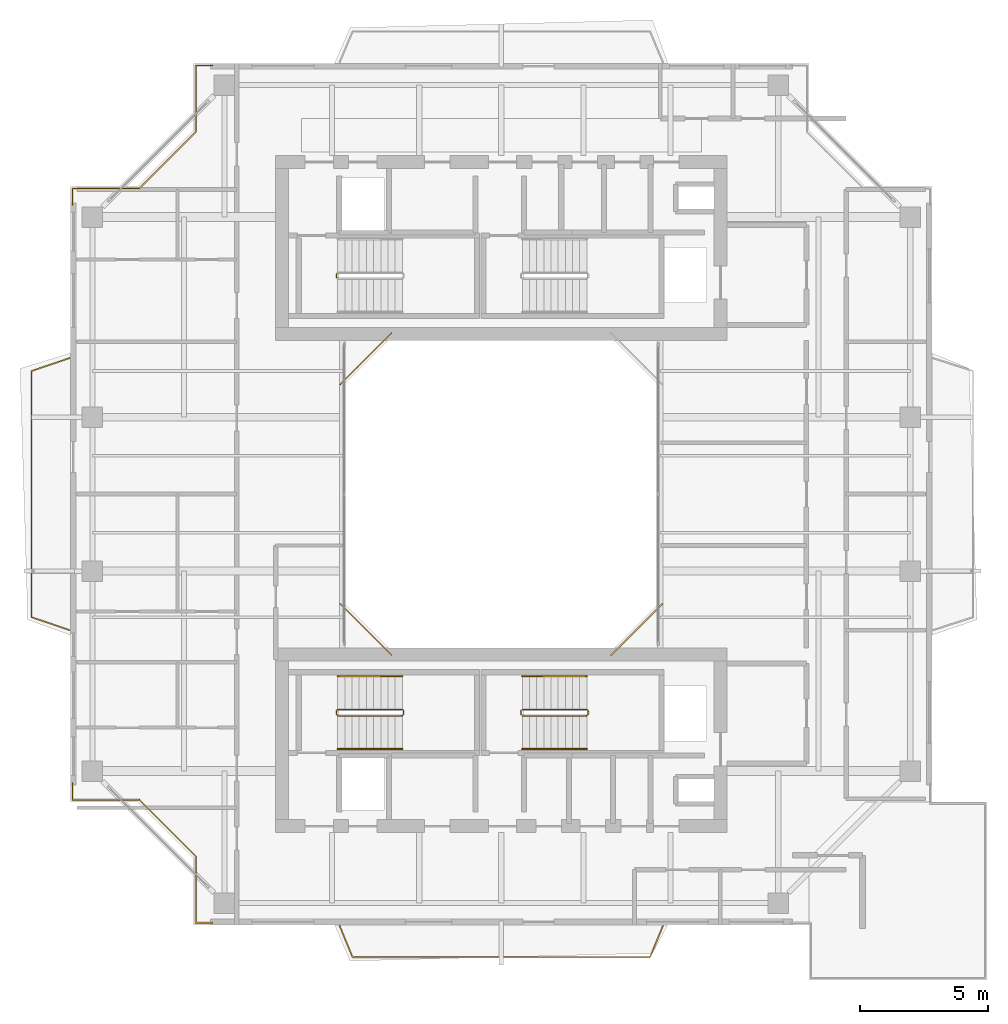
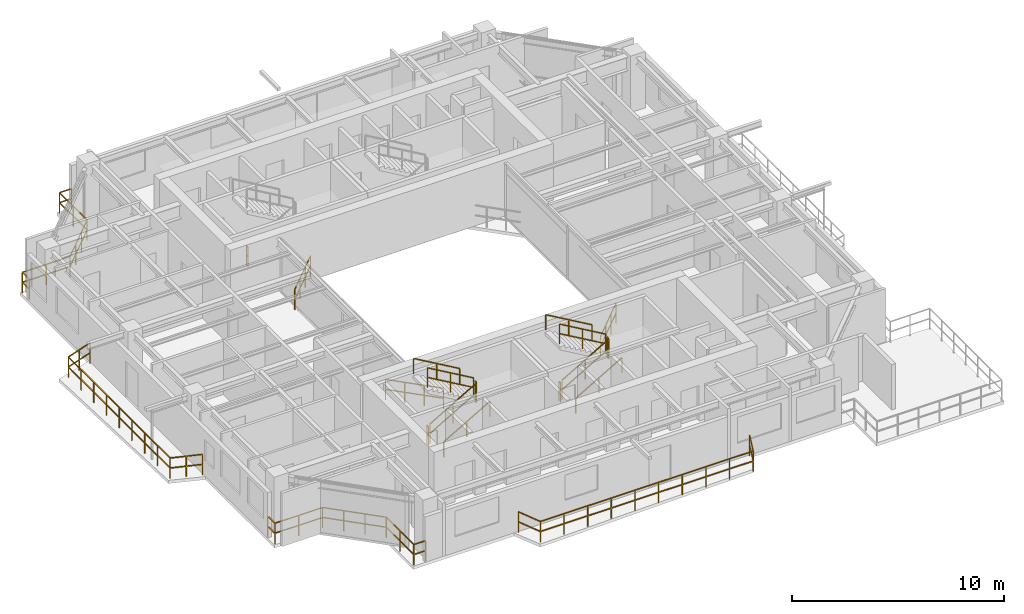
# One storey, part 14 of 15: 20 railings.
"""IFC4 building model written with IfcOpenShell, lengths in metres."""

from ifc_helpers import new_model, si_unit, direction, frame, origin, origin_2d, place, context, subcontext, project, spatial, rectangle, extrude, material, type_object, element, save


model = new_model("IFC4")

# Units and contexts
model_context = context("Model", 3, precision=1e-05, world=origin(), true_north=direction((0.0, 1.0)))
body_context = subcontext(model_context, "Body", "Model", "MODEL_VIEW")
ifc_project = project(units=[si_unit("LENGTHUNIT", "METRE"), si_unit("AREAUNIT", "SQUARE_METRE"), si_unit("VOLUMEUNIT", "CUBIC_METRE"), si_unit("PLANEANGLEUNIT", "RADIAN"), si_unit("MASSUNIT", "GRAM", prefix="KILO"), si_unit("THERMODYNAMICTEMPERATUREUNIT", "KELVIN"), si_unit("POWERUNIT", "WATT")], contexts=[model_context])

# Site, building, storey
site_placement = place(None, origin())
site = spatial("IfcSite", under=ifc_project, at=site_placement, CompositionType="ELEMENT")
building_placement = place(site_placement, origin())
building = spatial("IfcBuilding", under=site, at=building_placement, Name="Qiaomeng Ring Towers", CompositionType="ELEMENT")
storey_placement = place(building_placement, frame((0.0, 0.0, 213.25)))
storey = spatial("IfcBuildingStorey", under=building, at=storey_placement, Name="L62", CompositionType="ELEMENT", Elevation=213.25)

# Railings
ifc_material_1 = material(Name="Low-E pale-green laminated safety glass", Category="glass")
railing_type_1 = type_object("IfcRailingType", Name="ARC-RL-BAL1", PredefinedType="BALUSTRADE", material=ifc_material_1)
railing_1_placement = place(storey_placement, frame((23.280029296875, 16.719970703125, 0.0)))
element("IfcRailing", 1, at=railing_1_placement, inside=storey, type_object=railing_type_1, Name="L62 Balustrade ARC-BAL-WELL1-L62-1", PredefinedType="BALUSTRADE", context=body_context, shape_type="SweptSolid", body=[
    extrude(rectangle(XDim=0.048095703125, YDim=0.048095703125, at=origin_2d()), frame((0.0, 0.0, 1.17578125), z_axis=(0.707106781187, 0.707106781187, 0.0), x_axis=(-0.707106781187, 0.707106781187, 0.0)), (0.0, 0.0, 1.0), 2.828369140625),
    extrude(rectangle(XDim=0.048095703125, YDim=0.048095703125, at=origin_2d()), frame((0.0, 0.0, 0.60009765625), z_axis=(0.707106781187, 0.707106781187, 0.0), x_axis=(-0.707106781187, 0.707106781187, 0.0)), (0.0, 0.0, 1.0), 2.828369140625),
    extrude(rectangle(XDim=0.0419921875, YDim=0.0419921875, at=origin_2d()), origin(), (0.0, 0.0, 1.0), 1.15185546875),
    extrude(rectangle(XDim=0.0419921875, YDim=0.0419921875, at=origin_2d()), frame((0.666748046875, 0.666748046875, 0.0)), (0.0, 0.0, 1.0), 1.15185546875),
    extrude(rectangle(XDim=0.0419921875, YDim=0.0419921875, at=origin_2d()), frame((1.333251953125, 1.333251953125, 0.0)), (0.0, 0.0, 1.0), 1.15185546875),
    extrude(rectangle(XDim=0.0419921875, YDim=0.0419921875, at=origin_2d()), frame((2.0, 2.0, 0.0)), (0.0, 0.0, 1.0), 1.15185546875),
])
railing_2_placement = place(storey_placement, frame((14.719970703125, 29.280029296875, 0.0)))
element("IfcRailing", 2, at=railing_2_placement, inside=storey, type_object=railing_type_1, Name="L62 Balustrade ARC-BAL-WELL1-L62-3", PredefinedType="BALUSTRADE", context=body_context, shape_type="SweptSolid", body=[
    extrude(rectangle(XDim=0.048095703125, YDim=0.048095703125, at=origin_2d()), frame((0.0, 0.0, 1.17578125), z_axis=(-0.707106781187, -0.707106781187, 0.0), x_axis=(0.707106781187, -0.707106781187, 0.0)), (0.0, 0.0, 1.0), 2.828369140625),
    extrude(rectangle(XDim=0.048095703125, YDim=0.048095703125, at=origin_2d()), frame((0.0, 0.0, 0.60009765625), z_axis=(-0.707106781187, -0.707106781187, 0.0), x_axis=(0.707106781187, -0.707106781187, 0.0)), (0.0, 0.0, 1.0), 2.828369140625),
    extrude(rectangle(XDim=0.0419921875, YDim=0.0419921875, at=origin_2d()), origin(), (0.0, 0.0, 1.0), 1.15185546875),
    extrude(rectangle(XDim=0.0419921875, YDim=0.0419921875, at=origin_2d()), frame((-0.666748046875, -0.666748046875, 0.0)), (0.0, 0.0, 1.0), 1.15185546875),
    extrude(rectangle(XDim=0.0419921875, YDim=0.0419921875, at=origin_2d()), frame((-1.333251953125, -1.333251953125, 0.0)), (0.0, 0.0, 1.0), 1.15185546875),
    extrude(rectangle(XDim=0.0419921875, YDim=0.0419921875, at=origin_2d()), frame((-2.0, -2.0, 0.0)), (0.0, 0.0, 1.0), 1.15185546875),
])
railing_3_placement = place(storey_placement, frame((12.719970703125, 18.719970703125, 0.0)))
element("IfcRailing", 3, at=railing_3_placement, inside=storey, type_object=railing_type_1, Name="L62 Balustrade ARC-BAL-WELL1-L62-4", PredefinedType="BALUSTRADE", context=body_context, shape_type="SweptSolid", body=[
    extrude(rectangle(XDim=0.048095703125, YDim=0.048095703125, at=origin_2d()), frame((0.0, 0.0, 1.17578125), z_axis=(0.707106781187, -0.707106781187, 0.0), x_axis=(0.707106781187, 0.707106781187, 0.0)), (0.0, 0.0, 1.0), 2.828369140625),
    extrude(rectangle(XDim=0.048095703125, YDim=0.048095703125, at=origin_2d()), frame((0.0, 0.0, 0.60009765625), z_axis=(0.707106781187, -0.707106781187, 0.0), x_axis=(0.707106781187, 0.707106781187, 0.0)), (0.0, 0.0, 1.0), 2.828369140625),
    extrude(rectangle(XDim=0.0419921875, YDim=0.0419921875, at=origin_2d()), origin(), (0.0, 0.0, 1.0), 1.15185546875),
    extrude(rectangle(XDim=0.0419921875, YDim=0.0419921875, at=origin_2d()), frame((0.666748046875, -0.666748046875, 0.0)), (0.0, 0.0, 1.0), 1.15185546875),
    extrude(rectangle(XDim=0.0419921875, YDim=0.0419921875, at=origin_2d()), frame((1.333251953125, -1.333251953125, 0.0)), (0.0, 0.0, 1.0), 1.15185546875),
    extrude(rectangle(XDim=0.0419921875, YDim=0.0419921875, at=origin_2d()), frame((2.0, -2.0, 0.0)), (0.0, 0.0, 1.0), 1.15185546875),
])
railing_4_placement = place(storey_placement, frame((7.72998046875, 39.719970703125, 0.0)))
element("IfcRailing", 4, at=railing_4_placement, inside=storey, type_object=railing_type_1, Name="L62 Balustrade ARC-BAL-NOTCH1-L62-NW", PredefinedType="BALUSTRADE", context=body_context, shape_type="SweptSolid", body=[
    extrude(rectangle(XDim=0.048095703125, YDim=0.048095703125, at=origin_2d()), frame((0.0, 0.0, 1.17578125), z_axis=(-1.0, 0.0, 0.0), x_axis=(0.0, -1.0, 0.0)), (0.0, 0.0, 1.0), 0.64990234375),
    extrude(rectangle(XDim=0.048095703125, YDim=0.048095703125, at=origin_2d()), frame((0.0, 0.0, 0.60009765625), z_axis=(-1.0, 0.0, 0.0), x_axis=(0.0, -1.0, 0.0)), (0.0, 0.0, 1.0), 0.64990234375),
    extrude(rectangle(XDim=0.048095703125, YDim=0.048095703125, at=origin_2d()), frame((-0.64990234375, 0.0, 1.17578125), z_axis=(0.0, -1.0, 0.0), x_axis=(1.0, 0.0, 0.0)), (0.0, 0.0, 1.0), 2.599853515625),
    extrude(rectangle(XDim=0.048095703125, YDim=0.048095703125, at=origin_2d()), frame((-0.64990234375, 0.0, 0.60009765625), z_axis=(0.0, -1.0, 0.0), x_axis=(1.0, 0.0, 0.0)), (0.0, 0.0, 1.0), 2.599853515625),
    extrude(rectangle(XDim=0.048095703125, YDim=0.048095703125, at=origin_2d()), frame((-0.64990234375, -2.599853515625, 1.17578125), z_axis=(-0.707106781187, -0.707106781187, 0.0), x_axis=(0.707106781187, -0.707106781187, 0.0)), (0.0, 0.0, 1.0), 3.111572265625),
    extrude(rectangle(XDim=0.048095703125, YDim=0.048095703125, at=origin_2d()), frame((-0.64990234375, -2.599853515625, 0.60009765625), z_axis=(-0.707106781187, -0.707106781187, 0.0), x_axis=(0.707106781187, -0.707106781187, 0.0)), (0.0, 0.0, 1.0), 3.111572265625),
    extrude(rectangle(XDim=0.048095703125, YDim=0.048095703125, at=origin_2d()), frame((-2.85009765625, -4.800048828125, 1.17578125), z_axis=(-1.0, 0.0, 0.0), x_axis=(0.0, -1.0, 0.0)), (0.0, 0.0, 1.0), 2.599853515625),
    extrude(rectangle(XDim=0.048095703125, YDim=0.048095703125, at=origin_2d()), frame((-2.85009765625, -4.800048828125, 0.60009765625), z_axis=(-1.0, 0.0, 0.0), x_axis=(0.0, -1.0, 0.0)), (0.0, 0.0, 1.0), 2.599853515625),
    extrude(rectangle(XDim=0.048095703125, YDim=0.048095703125, at=origin_2d()), frame((-5.449951171875, -4.800048828125, 1.17578125), z_axis=(0.0, -1.0, 0.0), x_axis=(1.0, 0.0, 0.0)), (0.0, 0.0, 1.0), 0.64990234375),
    extrude(rectangle(XDim=0.048095703125, YDim=0.048095703125, at=origin_2d()), frame((-5.449951171875, -4.800048828125, 0.60009765625), z_axis=(0.0, -1.0, 0.0), x_axis=(1.0, 0.0, 0.0)), (0.0, 0.0, 1.0), 0.64990234375),
    extrude(rectangle(XDim=0.0419921875, YDim=0.0419921875, at=origin_2d()), origin(), (0.0, 0.0, 1.0), 1.15185546875),
    extrude(rectangle(XDim=0.0419921875, YDim=0.0419921875, at=origin_2d()), frame((-0.64990234375, 0.0, 0.0)), (0.0, 0.0, 1.0), 1.15185546875),
    extrude(rectangle(XDim=0.0419921875, YDim=0.0419921875, at=origin_2d()), frame((-0.64990234375, -1.2998046875, 0.0)), (0.0, 0.0, 1.0), 1.15185546875),
    extrude(rectangle(XDim=0.0419921875, YDim=0.0419921875, at=origin_2d()), frame((-0.64990234375, -2.599853515625, 0.0)), (0.0, 0.0, 1.0), 1.15185546875),
    extrude(rectangle(XDim=0.0419921875, YDim=0.0419921875, at=origin_2d()), frame((-1.38330078125, -3.333251953125, 0.0)), (0.0, 0.0, 1.0), 1.15185546875),
    extrude(rectangle(XDim=0.0419921875, YDim=0.0419921875, at=origin_2d()), frame((-2.11669921875, -4.066650390625, 0.0)), (0.0, 0.0, 1.0), 1.15185546875),
    extrude(rectangle(XDim=0.0419921875, YDim=0.0419921875, at=origin_2d()), frame((-2.85009765625, -4.800048828125, 0.0)), (0.0, 0.0, 1.0), 1.15185546875),
    extrude(rectangle(XDim=0.0419921875, YDim=0.0419921875, at=origin_2d()), frame((-4.14990234375, -4.800048828125, 0.0)), (0.0, 0.0, 1.0), 1.15185546875),
    extrude(rectangle(XDim=0.0419921875, YDim=0.0419921875, at=origin_2d()), frame((-5.449951171875, -4.800048828125, 0.0)), (0.0, 0.0, 1.0), 1.15185546875),
    extrude(rectangle(XDim=0.0419921875, YDim=0.0419921875, at=origin_2d()), frame((-5.449951171875, -5.449951171875, 0.0)), (0.0, 0.0, 1.0), 1.15185546875),
])
railing_5_placement = place(storey_placement, frame((2.280029296875, 11.72998046875, 0.0)))
element("IfcRailing", 5, at=railing_5_placement, inside=storey, type_object=railing_type_1, Name="L62 Balustrade ARC-BAL-NOTCH1-L62-SW", PredefinedType="BALUSTRADE", context=body_context, shape_type="SweptSolid", body=[
    extrude(rectangle(XDim=0.048095703125, YDim=0.048095703125, at=origin_2d()), frame((0.0, 0.0, 1.17578125), z_axis=(0.0, -1.0, 0.0), x_axis=(1.0, 0.0, 0.0)), (0.0, 0.0, 1.0), 0.64990234375),
    extrude(rectangle(XDim=0.048095703125, YDim=0.048095703125, at=origin_2d()), frame((0.0, 0.0, 0.60009765625), z_axis=(0.0, -1.0, 0.0), x_axis=(1.0, 0.0, 0.0)), (0.0, 0.0, 1.0), 0.64990234375),
    extrude(rectangle(XDim=0.048095703125, YDim=0.048095703125, at=origin_2d()), frame((0.0, -0.64990234375, 1.17578125), z_axis=(1.0, 0.0, 0.0), x_axis=(0.0, 1.0, 0.0)), (0.0, 0.0, 1.0), 2.599853515625),
    extrude(rectangle(XDim=0.048095703125, YDim=0.048095703125, at=origin_2d()), frame((0.0, -0.64990234375, 0.60009765625), z_axis=(1.0, 0.0, 0.0), x_axis=(0.0, 1.0, 0.0)), (0.0, 0.0, 1.0), 2.599853515625),
    extrude(rectangle(XDim=0.048095703125, YDim=0.048095703125, at=origin_2d()), frame((2.599853515625, -0.64990234375, 1.17578125), z_axis=(0.707106781187, -0.707106781187, 0.0), x_axis=(0.707106781187, 0.707106781187, 0.0)), (0.0, 0.0, 1.0), 3.111572265625),
    extrude(rectangle(XDim=0.048095703125, YDim=0.048095703125, at=origin_2d()), frame((2.599853515625, -0.64990234375, 0.60009765625), z_axis=(0.707106781187, -0.707106781187, 0.0), x_axis=(0.707106781187, 0.707106781187, 0.0)), (0.0, 0.0, 1.0), 3.111572265625),
    extrude(rectangle(XDim=0.048095703125, YDim=0.048095703125, at=origin_2d()), frame((4.800048828125, -2.85009765625, 1.17578125), z_axis=(0.0, -1.0, 0.0), x_axis=(1.0, 0.0, 0.0)), (0.0, 0.0, 1.0), 2.599853515625),
    extrude(rectangle(XDim=0.048095703125, YDim=0.048095703125, at=origin_2d()), frame((4.800048828125, -2.85009765625, 0.60009765625), z_axis=(0.0, -1.0, 0.0), x_axis=(1.0, 0.0, 0.0)), (0.0, 0.0, 1.0), 2.599853515625),
    extrude(rectangle(XDim=0.048095703125, YDim=0.048095703125, at=origin_2d()), frame((4.800048828125, -5.449951171875, 1.17578125), z_axis=(1.0, 0.0, 0.0), x_axis=(0.0, 1.0, 0.0)), (0.0, 0.0, 1.0), 0.64990234375),
    extrude(rectangle(XDim=0.048095703125, YDim=0.048095703125, at=origin_2d()), frame((4.800048828125, -5.449951171875, 0.60009765625), z_axis=(1.0, 0.0, 0.0), x_axis=(0.0, 1.0, 0.0)), (0.0, 0.0, 1.0), 0.64990234375),
    extrude(rectangle(XDim=0.0419921875, YDim=0.0419921875, at=origin_2d()), origin(), (0.0, 0.0, 1.0), 1.15185546875),
    extrude(rectangle(XDim=0.0419921875, YDim=0.0419921875, at=origin_2d()), frame((0.0, -0.64990234375, 0.0)), (0.0, 0.0, 1.0), 1.15185546875),
    extrude(rectangle(XDim=0.0419921875, YDim=0.0419921875, at=origin_2d()), frame((1.2998046875, -0.64990234375, 0.0)), (0.0, 0.0, 1.0), 1.15185546875),
    extrude(rectangle(XDim=0.0419921875, YDim=0.0419921875, at=origin_2d()), frame((2.599853515625, -0.64990234375, 0.0)), (0.0, 0.0, 1.0), 1.15185546875),
    extrude(rectangle(XDim=0.0419921875, YDim=0.0419921875, at=origin_2d()), frame((3.333251953125, -1.38330078125, 0.0)), (0.0, 0.0, 1.0), 1.15185546875),
    extrude(rectangle(XDim=0.0419921875, YDim=0.0419921875, at=origin_2d()), frame((4.066650390625, -2.11669921875, 0.0)), (0.0, 0.0, 1.0), 1.15185546875),
    extrude(rectangle(XDim=0.0419921875, YDim=0.0419921875, at=origin_2d()), frame((4.800048828125, -2.85009765625, 0.0)), (0.0, 0.0, 1.0), 1.15185546875),
    extrude(rectangle(XDim=0.0419921875, YDim=0.0419921875, at=origin_2d()), frame((4.800048828125, -4.14990234375, 0.0)), (0.0, 0.0, 1.0), 1.15185546875),
    extrude(rectangle(XDim=0.0419921875, YDim=0.0419921875, at=origin_2d()), frame((4.800048828125, -5.449951171875, 0.0)), (0.0, 0.0, 1.0), 1.15185546875),
    extrude(rectangle(XDim=0.0419921875, YDim=0.0419921875, at=origin_2d()), frame((5.449951171875, -5.449951171875, 0.0)), (0.0, 0.0, 1.0), 1.15185546875),
])
railing_6_placement = place(storey_placement, frame((12.699951171875, 6.14990234375, 0.0)))
element("IfcRailing", 6, at=railing_6_placement, inside=storey, type_object=railing_type_1, Name="L62 Balustrade ARC-BAL-L62-T1-S", PredefinedType="BALUSTRADE", context=body_context, shape_type="SweptSolid", body=[
    extrude(rectangle(XDim=0.048095703125, YDim=0.048095703125, at=origin_2d()), frame((0.0, 0.0, 1.17578125), z_axis=(0.381912525892, -0.924198475743, 0.0), x_axis=(0.924198475743, 0.381912525892, 0.0)), (0.0, 0.0, 1.0), 1.30908203125),
    extrude(rectangle(XDim=0.048095703125, YDim=0.048095703125, at=origin_2d()), frame((0.0, 0.0, 0.60009765625), z_axis=(0.381912525892, -0.924198475743, 0.0), x_axis=(0.924198475743, 0.381912525892, 0.0)), (0.0, 0.0, 1.0), 1.30908203125),
    extrude(rectangle(XDim=0.048095703125, YDim=0.048095703125, at=origin_2d()), frame((0.5, -1.2099609375, 1.17578125), z_axis=(1.0, 0.0, 0.0), x_axis=(0.0, 1.0, 0.0)), (0.0, 0.0, 1.0), 11.60009765625),
    extrude(rectangle(XDim=0.048095703125, YDim=0.048095703125, at=origin_2d()), frame((0.5, -1.2099609375, 0.60009765625), z_axis=(1.0, 0.0, 0.0), x_axis=(0.0, 1.0, 0.0)), (0.0, 0.0, 1.0), 11.60009765625),
    extrude(rectangle(XDim=0.048095703125, YDim=0.048095703125, at=origin_2d()), frame((12.10009765625, -1.2099609375, 1.17578125), z_axis=(0.381912525892, 0.924198475743, 0.0), x_axis=(-0.924198475743, 0.381912525892, 0.0)), (0.0, 0.0, 1.0), 1.30908203125),
    extrude(rectangle(XDim=0.048095703125, YDim=0.048095703125, at=origin_2d()), frame((12.10009765625, -1.2099609375, 0.60009765625), z_axis=(0.381912525892, 0.924198475743, 0.0), x_axis=(-0.924198475743, 0.381912525892, 0.0)), (0.0, 0.0, 1.0), 1.30908203125),
    extrude(rectangle(XDim=0.0419921875, YDim=0.0419921875, at=origin_2d()), origin(), (0.0, 0.0, 1.0), 1.15185546875),
    extrude(rectangle(XDim=0.0419921875, YDim=0.0419921875, at=origin_2d()), frame((0.5, -1.2099609375, 0.0)), (0.0, 0.0, 1.0), 1.15185546875),
    extrude(rectangle(XDim=0.0419921875, YDim=0.0419921875, at=origin_2d()), frame((1.788818359375, -1.2099609375, 0.0)), (0.0, 0.0, 1.0), 1.15185546875),
    extrude(rectangle(XDim=0.0419921875, YDim=0.0419921875, at=origin_2d()), frame((3.077880859375, -1.2099609375, 0.0)), (0.0, 0.0, 1.0), 1.15185546875),
    extrude(rectangle(XDim=0.0419921875, YDim=0.0419921875, at=origin_2d()), frame((4.36669921875, -1.2099609375, 0.0)), (0.0, 0.0, 1.0), 1.15185546875),
    extrude(rectangle(XDim=0.0419921875, YDim=0.0419921875, at=origin_2d()), frame((5.655517578125, -1.2099609375, 0.0)), (0.0, 0.0, 1.0), 1.15185546875),
    extrude(rectangle(XDim=0.0419921875, YDim=0.0419921875, at=origin_2d()), frame((6.944580078125, -1.2099609375, 0.0)), (0.0, 0.0, 1.0), 1.15185546875),
    extrude(rectangle(XDim=0.0419921875, YDim=0.0419921875, at=origin_2d()), frame((8.2333984375, -1.2099609375, 0.0)), (0.0, 0.0, 1.0), 1.15185546875),
    extrude(rectangle(XDim=0.0419921875, YDim=0.0419921875, at=origin_2d()), frame((9.522216796875, -1.2099609375, 0.0)), (0.0, 0.0, 1.0), 1.15185546875),
    extrude(rectangle(XDim=0.0419921875, YDim=0.0419921875, at=origin_2d()), frame((10.811279296875, -1.2099609375, 0.0)), (0.0, 0.0, 1.0), 1.15185546875),
    extrude(rectangle(XDim=0.0419921875, YDim=0.0419921875, at=origin_2d()), frame((12.10009765625, -1.2099609375, 0.0)), (0.0, 0.0, 1.0), 1.15185546875),
    extrude(rectangle(XDim=0.0419921875, YDim=0.0419921875, at=origin_2d()), frame((12.60009765625, 0.0, 0.0)), (0.0, 0.0, 1.0), 1.15185546875),
])
railing_7_placement = place(storey_placement, frame((2.14990234375, 17.699951171875, 0.0)))
element("IfcRailing", 7, at=railing_7_placement, inside=storey, type_object=railing_type_1, Name="L62 Balustrade ARC-BAL-L62-T1-W", PredefinedType="BALUSTRADE", context=body_context, shape_type="SweptSolid", body=[
    extrude(rectangle(XDim=0.048095703125, YDim=0.048095703125, at=origin_2d()), frame((0.0, 0.0, 1.17578125), z_axis=(-0.946731524739, 0.322023943309, 0.0), x_axis=(-0.322023943309, -0.946731524739, 0.0)), (0.0, 0.0, 1.0), 1.552734375),
    extrude(rectangle(XDim=0.048095703125, YDim=0.048095703125, at=origin_2d()), frame((0.0, 0.0, 0.60009765625), z_axis=(-0.946731524739, 0.322023943309, 0.0), x_axis=(-0.322023943309, -0.946731524739, 0.0)), (0.0, 0.0, 1.0), 1.552734375),
    extrude(rectangle(XDim=0.048095703125, YDim=0.048095703125, at=origin_2d()), frame((-1.469970703125, 0.5, 1.17578125), z_axis=(0.0, 1.0, 0.0), x_axis=(-1.0, 0.0, 0.0)), (0.0, 0.0, 1.0), 9.60009765625),
    extrude(rectangle(XDim=0.048095703125, YDim=0.048095703125, at=origin_2d()), frame((-1.469970703125, 0.5, 0.60009765625), z_axis=(0.0, 1.0, 0.0), x_axis=(-1.0, 0.0, 0.0)), (0.0, 0.0, 1.0), 9.60009765625),
    extrude(rectangle(XDim=0.048095703125, YDim=0.048095703125, at=origin_2d()), frame((-1.469970703125, 10.10009765625, 1.17578125), z_axis=(0.946731524739, 0.322023943309, 0.0), x_axis=(-0.322023943309, 0.946731524739, 0.0)), (0.0, 0.0, 1.0), 1.552734375),
    extrude(rectangle(XDim=0.048095703125, YDim=0.048095703125, at=origin_2d()), frame((-1.469970703125, 10.10009765625, 0.60009765625), z_axis=(0.946731524739, 0.322023943309, 0.0), x_axis=(-0.322023943309, 0.946731524739, 0.0)), (0.0, 0.0, 1.0), 1.552734375),
    extrude(rectangle(XDim=0.0419921875, YDim=0.0419921875, at=origin_2d()), origin(), (0.0, 0.0, 1.0), 1.15185546875),
    extrude(rectangle(XDim=0.0419921875, YDim=0.0419921875, at=origin_2d()), frame((-0.73486328125, 0.25, 0.0)), (0.0, 0.0, 1.0), 1.15185546875),
    extrude(rectangle(XDim=0.0419921875, YDim=0.0419921875, at=origin_2d()), frame((-1.469970703125, 0.5, 0.0)), (0.0, 0.0, 1.0), 1.15185546875),
    extrude(rectangle(XDim=0.0419921875, YDim=0.0419921875, at=origin_2d()), frame((-1.469970703125, 1.699951171875, 0.0)), (0.0, 0.0, 1.0), 1.15185546875),
    extrude(rectangle(XDim=0.0419921875, YDim=0.0419921875, at=origin_2d()), frame((-1.469970703125, 2.89990234375, 0.0)), (0.0, 0.0, 1.0), 1.15185546875),
    extrude(rectangle(XDim=0.0419921875, YDim=0.0419921875, at=origin_2d()), frame((-1.469970703125, 4.10009765625, 0.0)), (0.0, 0.0, 1.0), 1.15185546875),
    extrude(rectangle(XDim=0.0419921875, YDim=0.0419921875, at=origin_2d()), frame((-1.469970703125, 5.300048828125, 0.0)), (0.0, 0.0, 1.0), 1.15185546875),
    extrude(rectangle(XDim=0.0419921875, YDim=0.0419921875, at=origin_2d()), frame((-1.469970703125, 6.5, 0.0)), (0.0, 0.0, 1.0), 1.15185546875),
    extrude(rectangle(XDim=0.0419921875, YDim=0.0419921875, at=origin_2d()), frame((-1.469970703125, 7.7001953125, 0.0)), (0.0, 0.0, 1.0), 1.15185546875),
    extrude(rectangle(XDim=0.0419921875, YDim=0.0419921875, at=origin_2d()), frame((-1.469970703125, 8.900146484375, 0.0)), (0.0, 0.0, 1.0), 1.15185546875),
    extrude(rectangle(XDim=0.0419921875, YDim=0.0419921875, at=origin_2d()), frame((-1.469970703125, 10.10009765625, 0.0)), (0.0, 0.0, 1.0), 1.15185546875),
    extrude(rectangle(XDim=0.0419921875, YDim=0.0419921875, at=origin_2d()), frame((-0.73486328125, 10.35009765625, 0.0)), (0.0, 0.0, 1.0), 1.15185546875),
    extrude(rectangle(XDim=0.0419921875, YDim=0.0419921875, at=origin_2d()), frame((0.0, 10.60009765625, 0.0)), (0.0, 0.0, 1.0), 1.15185546875),
])
ifc_material_2 = material(Name="Galvanised steel", Category="steel")
railing_type_2 = type_object("IfcRailingType", Name="ARC-RL-GUARD", PredefinedType="GUARDRAIL", material=ifc_material_2)
railing_8_placement = place(storey_placement, frame((12.570068359375, 31.449951171875, 0.0)))
element("IfcRailing", 8, at=railing_8_placement, inside=storey, type_object=railing_type_2, Name="L62 ST1 stair guard 4", PredefinedType="GUARDRAIL", context=body_context, shape_type="SweptSolid", body=[
    extrude(rectangle(XDim=0.048095703125, YDim=0.048095703125, at=origin_2d()), frame((0.0, 0.0, 1.1259765625), z_axis=(0.0, 1.0, 0.0), x_axis=(-1.0, 0.0, 0.0)), (0.0, 0.0, 1.0), 0.14013671875),
    extrude(rectangle(XDim=0.048095703125, YDim=0.048095703125, at=origin_2d()), frame((0.0, 0.0, 0.574951171875), z_axis=(0.0, 1.0, 0.0), x_axis=(-1.0, 0.0, 0.0)), (0.0, 0.0, 1.0), 0.14013671875),
    extrude(rectangle(XDim=0.0419921875, YDim=0.0419921875, at=origin_2d()), origin(), (0.0, 0.0, 1.0), 1.101806640625),
    extrude(rectangle(XDim=0.0419921875, YDim=0.0419921875, at=origin_2d()), frame((0.0, 0.14013671875, 0.0)), (0.0, 0.0, 1.0), 1.101806640625),
])
railing_9_placement = place(storey_placement, frame((12.6201171875, 14.360107421875, 0.16259765625)))
element("IfcRailing", 9, at=railing_9_placement, inside=storey, type_object=railing_type_2, Name="L62 ST3 stair guard 1", PredefinedType="GUARDRAIL", context=body_context, shape_type="SweptSolid", body=[
    extrude(rectangle(XDim=0.048095703125, YDim=0.048095703125, at=origin_2d()), frame((0.0, 0.0, 1.1259765625), z_axis=(0.864892226395, 0.0, 0.501957604506), x_axis=(0.0, 1.0, 0.0)), (0.0, 0.0, 1.0), 2.913330078125),
    extrude(rectangle(XDim=0.048095703125, YDim=0.048095703125, at=origin_2d()), frame((0.0, 0.0, 0.574951171875), z_axis=(0.864892226395, 0.0, 0.501957604506), x_axis=(0.0, 1.0, 0.0)), (0.0, 0.0, 1.0), 2.913330078125),
    extrude(rectangle(XDim=0.0419921875, YDim=0.0419921875, at=origin_2d()), origin(), (0.0, 0.0, 1.0), 1.101806640625),
    extrude(rectangle(XDim=0.0419921875, YDim=0.0419921875, at=origin_2d()), frame((1.259765625, 0.0, 0.731201171875)), (0.0, 0.0, 1.0), 1.101806640625),
    extrude(rectangle(XDim=0.0419921875, YDim=0.0419921875, at=origin_2d()), frame((2.519775390625, 0.0, 1.46240234375)), (0.0, 0.0, 1.0), 1.101806640625),
])
railing_10_placement = place(storey_placement, frame((15.18994140625, 14.409912109375, 1.625)))
element("IfcRailing", 10, at=railing_10_placement, inside=storey, type_object=railing_type_2, Name="L62 ST3 stair guard 2", PredefinedType="GUARDRAIL", context=body_context, shape_type="SweptSolid", body=[
    extrude(rectangle(XDim=0.048095703125, YDim=0.048095703125, at=origin_2d()), frame((0.0, 0.0, 1.1259765625), z_axis=(0.0, 1.0, 0.0), x_axis=(-1.0, 0.0, 0.0)), (0.0, 0.0, 1.0), 0.14013671875),
    extrude(rectangle(XDim=0.048095703125, YDim=0.048095703125, at=origin_2d()), frame((0.0, 0.0, 0.574951171875), z_axis=(0.0, 1.0, 0.0), x_axis=(-1.0, 0.0, 0.0)), (0.0, 0.0, 1.0), 0.14013671875),
    extrude(rectangle(XDim=0.0419921875, YDim=0.0419921875, at=origin_2d()), origin(), (0.0, 0.0, 1.0), 1.101806640625),
    extrude(rectangle(XDim=0.0419921875, YDim=0.0419921875, at=origin_2d()), frame((0.0, 0.14013671875, 0.0)), (0.0, 0.0, 1.0), 1.101806640625),
])
railing_11_placement = place(storey_placement, frame((15.139892578125, 14.60009765625, 1.78759765625)))
element("IfcRailing", 11, at=railing_11_placement, inside=storey, type_object=railing_type_2, Name="L62 ST3 stair guard 3", PredefinedType="GUARDRAIL", context=body_context, shape_type="SweptSolid", body=[
    extrude(rectangle(XDim=0.048095703125, YDim=0.048095703125, at=origin_2d()), frame((0.0, 0.0, 1.1259765625), z_axis=(-0.864892226395, 0.0, 0.501957604506), x_axis=(0.0, -1.0, 0.0)), (0.0, 0.0, 1.0), 2.913330078125),
    extrude(rectangle(XDim=0.048095703125, YDim=0.048095703125, at=origin_2d()), frame((0.0, 0.0, 0.574951171875), z_axis=(-0.864892226395, 0.0, 0.501957604506), x_axis=(0.0, -1.0, 0.0)), (0.0, 0.0, 1.0), 2.913330078125),
    extrude(rectangle(XDim=0.0419921875, YDim=0.0419921875, at=origin_2d()), origin(), (0.0, 0.0, 1.0), 1.101806640625),
    extrude(rectangle(XDim=0.0419921875, YDim=0.0419921875, at=origin_2d()), frame((-1.259765625, 0.0, 0.731201171875)), (0.0, 0.0, 1.0), 1.101806640625),
    extrude(rectangle(XDim=0.0419921875, YDim=0.0419921875, at=origin_2d()), frame((-2.519775390625, 0.0, 1.46240234375)), (0.0, 0.0, 1.0), 1.101806640625),
])
railing_12_placement = place(storey_placement, frame((12.570068359375, 14.409912109375, 0.0)))
element("IfcRailing", 12, at=railing_12_placement, inside=storey, type_object=railing_type_2, Name="L62 ST3 stair guard 4", PredefinedType="GUARDRAIL", context=body_context, shape_type="SweptSolid", body=[
    extrude(rectangle(XDim=0.048095703125, YDim=0.048095703125, at=origin_2d()), frame((0.0, 0.0, 1.1259765625), z_axis=(0.0, 1.0, 0.0), x_axis=(-1.0, 0.0, 0.0)), (0.0, 0.0, 1.0), 0.14013671875),
    extrude(rectangle(XDim=0.048095703125, YDim=0.048095703125, at=origin_2d()), frame((0.0, 0.0, 0.574951171875), z_axis=(0.0, 1.0, 0.0), x_axis=(-1.0, 0.0, 0.0)), (0.0, 0.0, 1.0), 0.14013671875),
    extrude(rectangle(XDim=0.0419921875, YDim=0.0419921875, at=origin_2d()), origin(), (0.0, 0.0, 1.0), 1.101806640625),
    extrude(rectangle(XDim=0.0419921875, YDim=0.0419921875, at=origin_2d()), frame((0.0, 0.14013671875, 0.0)), (0.0, 0.0, 1.0), 1.101806640625),
])
railing_13_placement = place(storey_placement, frame((19.820068359375, 14.360107421875, 0.16259765625)))
element("IfcRailing", 13, at=railing_13_placement, inside=storey, type_object=railing_type_2, Name="L62 ST4 stair guard 1", PredefinedType="GUARDRAIL", context=body_context, shape_type="SweptSolid", body=[
    extrude(rectangle(XDim=0.048095703125, YDim=0.048095703125, at=origin_2d()), frame((0.0, 0.0, 1.1259765625), z_axis=(0.864913338283, 0.0, 0.50192122615), x_axis=(0.0, 1.0, 0.0)), (0.0, 0.0, 1.0), 2.91357421875),
    extrude(rectangle(XDim=0.048095703125, YDim=0.048095703125, at=origin_2d()), frame((0.0, 0.0, 0.574951171875), z_axis=(0.864913338283, 0.0, 0.50192122615), x_axis=(0.0, 1.0, 0.0)), (0.0, 0.0, 1.0), 2.91357421875),
    extrude(rectangle(XDim=0.0419921875, YDim=0.0419921875, at=origin_2d()), origin(), (0.0, 0.0, 1.0), 1.101806640625),
    extrude(rectangle(XDim=0.0419921875, YDim=0.0419921875, at=origin_2d()), frame((1.260009765625, 0.0, 0.731201171875)), (0.0, 0.0, 1.0), 1.101806640625),
    extrude(rectangle(XDim=0.0419921875, YDim=0.0419921875, at=origin_2d()), frame((2.52001953125, 0.0, 1.46240234375)), (0.0, 0.0, 1.0), 1.101806640625),
])
railing_14_placement = place(storey_placement, frame((22.389892578125, 14.409912109375, 1.625)))
element("IfcRailing", 14, at=railing_14_placement, inside=storey, type_object=railing_type_2, Name="L62 ST4 stair guard 2", PredefinedType="GUARDRAIL", context=body_context, shape_type="SweptSolid", body=[
    extrude(rectangle(XDim=0.048095703125, YDim=0.048095703125, at=origin_2d()), frame((0.0, 0.0, 1.1259765625), z_axis=(0.0, 1.0, 0.0), x_axis=(-1.0, 0.0, 0.0)), (0.0, 0.0, 1.0), 0.14013671875),
    extrude(rectangle(XDim=0.048095703125, YDim=0.048095703125, at=origin_2d()), frame((0.0, 0.0, 0.574951171875), z_axis=(0.0, 1.0, 0.0), x_axis=(-1.0, 0.0, 0.0)), (0.0, 0.0, 1.0), 0.14013671875),
    extrude(rectangle(XDim=0.0419921875, YDim=0.0419921875, at=origin_2d()), origin(), (0.0, 0.0, 1.0), 1.101806640625),
    extrude(rectangle(XDim=0.0419921875, YDim=0.0419921875, at=origin_2d()), frame((0.0, 0.14013671875, 0.0)), (0.0, 0.0, 1.0), 1.101806640625),
])
railing_15_placement = place(storey_placement, frame((22.340087890625, 14.60009765625, 1.78759765625)))
element("IfcRailing", 15, at=railing_15_placement, inside=storey, type_object=railing_type_2, Name="L62 ST4 stair guard 3", PredefinedType="GUARDRAIL", context=body_context, shape_type="SweptSolid", body=[
    extrude(rectangle(XDim=0.048095703125, YDim=0.048095703125, at=origin_2d()), frame((0.0, 0.0, 1.1259765625), z_axis=(-0.864913338283, 0.0, 0.50192122615), x_axis=(0.0, -1.0, 0.0)), (0.0, 0.0, 1.0), 2.91357421875),
    extrude(rectangle(XDim=0.048095703125, YDim=0.048095703125, at=origin_2d()), frame((0.0, 0.0, 0.574951171875), z_axis=(-0.864913338283, 0.0, 0.50192122615), x_axis=(0.0, -1.0, 0.0)), (0.0, 0.0, 1.0), 2.91357421875),
    extrude(rectangle(XDim=0.0419921875, YDim=0.0419921875, at=origin_2d()), origin(), (0.0, 0.0, 1.0), 1.101806640625),
    extrude(rectangle(XDim=0.0419921875, YDim=0.0419921875, at=origin_2d()), frame((-1.260009765625, 0.0, 0.731201171875)), (0.0, 0.0, 1.0), 1.101806640625),
    extrude(rectangle(XDim=0.0419921875, YDim=0.0419921875, at=origin_2d()), frame((-2.52001953125, 0.0, 1.46240234375)), (0.0, 0.0, 1.0), 1.101806640625),
])
railing_16_placement = place(storey_placement, frame((19.77001953125, 14.409912109375, 0.0)))
element("IfcRailing", 16, at=railing_16_placement, inside=storey, type_object=railing_type_2, Name="L62 ST4 stair guard 4", PredefinedType="GUARDRAIL", context=body_context, shape_type="SweptSolid", body=[
    extrude(rectangle(XDim=0.048095703125, YDim=0.048095703125, at=origin_2d()), frame((0.0, 0.0, 1.1259765625), z_axis=(0.0, 1.0, 0.0), x_axis=(-1.0, 0.0, 0.0)), (0.0, 0.0, 1.0), 0.14013671875),
    extrude(rectangle(XDim=0.048095703125, YDim=0.048095703125, at=origin_2d()), frame((0.0, 0.0, 0.574951171875), z_axis=(0.0, 1.0, 0.0), x_axis=(-1.0, 0.0, 0.0)), (0.0, 0.0, 1.0), 0.14013671875),
    extrude(rectangle(XDim=0.0419921875, YDim=0.0419921875, at=origin_2d()), origin(), (0.0, 0.0, 1.0), 1.101806640625),
    extrude(rectangle(XDim=0.0419921875, YDim=0.0419921875, at=origin_2d()), frame((0.0, 0.14013671875, 0.0)), (0.0, 0.0, 1.0), 1.101806640625),
])
ifc_material_3 = material(Name="Stainless steel 316", Category="steel")
railing_type_3 = type_object("IfcRailingType", Name="ARC-RL-HAND", PredefinedType="HANDRAIL", material=ifc_material_3)
railing_17_placement = place(storey_placement, frame((12.6201171875, 13.06005859375, 0.16259765625)))
element("IfcRailing", 17, at=railing_17_placement, inside=storey, type_object=railing_type_3, Name="L62 ST3 stair handrail 1", PredefinedType="HANDRAIL", context=body_context, shape_type="SweptSolid", body=[
    extrude(rectangle(XDim=0.048095703125, YDim=0.048095703125, at=origin_2d()), frame((0.0, 0.0, 0.8759765625), z_axis=(0.864892226395, 0.0, 0.501957604506), x_axis=(0.0, 1.0, 0.0)), (0.0, 0.0, 1.0), 2.913330078125),
    extrude(rectangle(XDim=0.0419921875, YDim=0.0419921875, at=origin_2d()), origin(), (0.0, 0.0, 1.0), 0.851806640625),
    extrude(rectangle(XDim=0.0419921875, YDim=0.0419921875, at=origin_2d()), frame((1.259765625, 0.0, 0.731201171875)), (0.0, 0.0, 1.0), 0.851806640625),
    extrude(rectangle(XDim=0.0419921875, YDim=0.0419921875, at=origin_2d()), frame((2.519775390625, 0.0, 1.46240234375)), (0.0, 0.0, 1.0), 0.851806640625),
])
railing_18_placement = place(storey_placement, frame((15.139892578125, 15.89990234375, 1.78759765625)))
element("IfcRailing", 18, at=railing_18_placement, inside=storey, type_object=railing_type_3, Name="L62 ST3 stair handrail 2", PredefinedType="HANDRAIL", context=body_context, shape_type="SweptSolid", body=[
    extrude(rectangle(XDim=0.048095703125, YDim=0.048095703125, at=origin_2d()), frame((0.0, 0.0, 0.8759765625), z_axis=(-0.864892226395, 0.0, 0.501957604506), x_axis=(0.0, -1.0, 0.0)), (0.0, 0.0, 1.0), 2.913330078125),
    extrude(rectangle(XDim=0.0419921875, YDim=0.0419921875, at=origin_2d()), origin(), (0.0, 0.0, 1.0), 0.851806640625),
    extrude(rectangle(XDim=0.0419921875, YDim=0.0419921875, at=origin_2d()), frame((-1.259765625, 0.0, 0.731201171875)), (0.0, 0.0, 1.0), 0.851806640625),
    extrude(rectangle(XDim=0.0419921875, YDim=0.0419921875, at=origin_2d()), frame((-2.519775390625, 0.0, 1.46240234375)), (0.0, 0.0, 1.0), 0.851806640625),
])
railing_19_placement = place(storey_placement, frame((19.820068359375, 13.06005859375, 0.16259765625)))
element("IfcRailing", 19, at=railing_19_placement, inside=storey, type_object=railing_type_3, Name="L62 ST4 stair handrail 1", PredefinedType="HANDRAIL", context=body_context, shape_type="SweptSolid", body=[
    extrude(rectangle(XDim=0.048095703125, YDim=0.048095703125, at=origin_2d()), frame((0.0, 0.0, 0.8759765625), z_axis=(0.864913338283, 0.0, 0.50192122615), x_axis=(0.0, 1.0, 0.0)), (0.0, 0.0, 1.0), 2.91357421875),
    extrude(rectangle(XDim=0.0419921875, YDim=0.0419921875, at=origin_2d()), origin(), (0.0, 0.0, 1.0), 0.851806640625),
    extrude(rectangle(XDim=0.0419921875, YDim=0.0419921875, at=origin_2d()), frame((1.260009765625, 0.0, 0.731201171875)), (0.0, 0.0, 1.0), 0.851806640625),
    extrude(rectangle(XDim=0.0419921875, YDim=0.0419921875, at=origin_2d()), frame((2.52001953125, 0.0, 1.46240234375)), (0.0, 0.0, 1.0), 0.851806640625),
])
railing_20_placement = place(storey_placement, frame((22.340087890625, 15.89990234375, 1.78759765625)))
element("IfcRailing", 20, at=railing_20_placement, inside=storey, type_object=railing_type_3, Name="L62 ST4 stair handrail 2", PredefinedType="HANDRAIL", context=body_context, shape_type="SweptSolid", body=[
    extrude(rectangle(XDim=0.048095703125, YDim=0.048095703125, at=origin_2d()), frame((0.0, 0.0, 0.8759765625), z_axis=(-0.864913338283, 0.0, 0.50192122615), x_axis=(0.0, -1.0, 0.0)), (0.0, 0.0, 1.0), 2.91357421875),
    extrude(rectangle(XDim=0.0419921875, YDim=0.0419921875, at=origin_2d()), origin(), (0.0, 0.0, 1.0), 0.851806640625),
    extrude(rectangle(XDim=0.0419921875, YDim=0.0419921875, at=origin_2d()), frame((-1.260009765625, 0.0, 0.731201171875)), (0.0, 0.0, 1.0), 0.851806640625),
    extrude(rectangle(XDim=0.0419921875, YDim=0.0419921875, at=origin_2d()), frame((-2.52001953125, 0.0, 1.46240234375)), (0.0, 0.0, 1.0), 0.851806640625),
])

save(model, "model.ifc")
